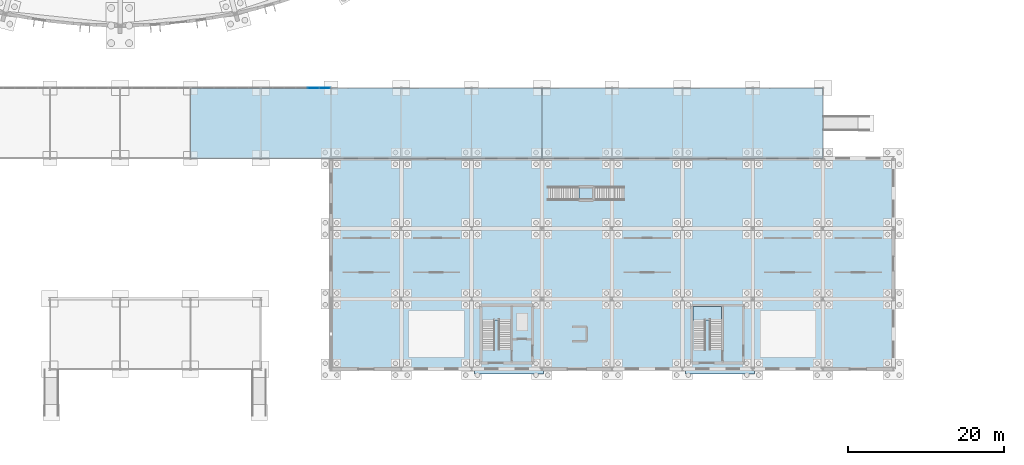
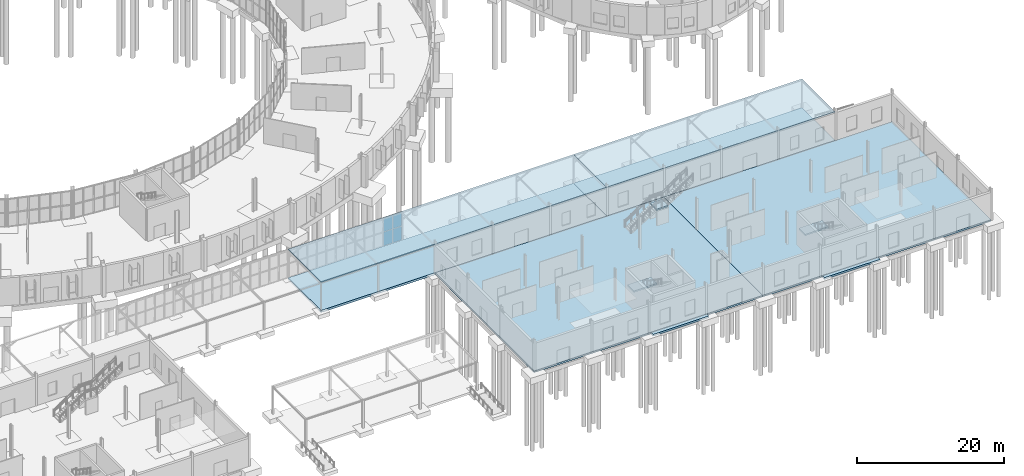
# One storey, part 75 of 118: 11 slabs, 4 plates, 4 elements without a shape of their own.
"""IFC4 building model written with IfcOpenShell, lengths in metres."""

from ifc_helpers import new_model, si_unit, direction, frame, origin, origin_2d, place, context, subcontext, project, spatial, polyline, rectangle, outline, extrude, material, layer, layer_set, type_object, element, aggregate, save


model = new_model("IFC4")

# Units and contexts
model_context = context("Model", 3, precision=1e-05, world=origin(), true_north=direction((0.0, 1.0)))
body_context = subcontext(model_context, "Body", "Model", "MODEL_VIEW")
ifc_project = project(units=[si_unit("LENGTHUNIT", "METRE"), si_unit("AREAUNIT", "SQUARE_METRE"), si_unit("VOLUMEUNIT", "CUBIC_METRE"), si_unit("PLANEANGLEUNIT", "RADIAN"), si_unit("MASSUNIT", "GRAM", prefix="KILO")], contexts=[model_context])

# Site, building, storey
site_placement = place(None, origin())
site = spatial("IfcSite", under=ifc_project, at=site_placement, CompositionType="ELEMENT")
building_placement = place(site_placement, origin())
building = spatial("IfcBuilding", under=site, at=building_placement, Name="Kildeholm Park Wholesale Market", CompositionType="ELEMENT")
storey_placement = place(building_placement, origin())
storey = spatial("IfcBuildingStorey", under=building, at=storey_placement, Name="L00", CompositionType="ELEMENT", Elevation=0.0)

# Curtain wall, plates
ifc_material_1 = material(Name="Anodised aluminium and low-E double-glazed glass", Category="aluminium")
curtain_wall_type = type_object("IfcCurtainWallType", Name="Public passage glazed screen CW-04", PredefinedType="NOTDEFINED", material=ifc_material_1)
curtain_wall_placement = place(storey_placement, origin())
curtain_wall = element("IfcCurtainWall", 1, at=curtain_wall_placement, inside=storey, type_object=curtain_wall_type, Name="Curtain wall CW-V6-GC-05 CW-0163", PredefinedType="NOTDEFINED")
ifc_material_2 = material(Name="Double-glazed low-E insulated glass", Category="glass")
ifc_layer_1 = layer(ifc_material_2, 0.028076171875)
ifc_layer_set_1 = layer_set([ifc_layer_1], Name="Double-glazed low-E insulated glass")
plate_type = type_object("IfcPlateType", Name="Curtain-wall panel CWP-1 28 mm", PredefinedType="CURTAIN_PANEL", material=ifc_layer_set_1)
plate_1_placement = place(storey_placement, frame((123.72998046875, 36.0, 0.06005859375), z_axis=(0.0, 0.0, 1.0), x_axis=(1.0, 0.0, 0.0)))
plate_1 = element("IfcPlate", 2, at=plate_1_placement, type_object=plate_type, Name="CW-04 panel 5.1 PLT-2372", PredefinedType="CURTAIN_PANEL", context=body_context, shape_type="SweptSolid", body=[
    extrude(rectangle(XDim=1.4267578125, YDim=0.028076171875, at=origin_2d()), origin(), (0.0, 0.0, 1.0), 2.284912109375),
])
plate_2_placement = place(storey_placement, frame((123.72998046875, 36.0, 2.4052734375), z_axis=(0.0, 0.0, 1.0), x_axis=(1.0, 0.0, 0.0)))
plate_2 = element("IfcPlate", 3, at=plate_2_placement, type_object=plate_type, Name="CW-04 panel 5.2 PLT-2373", PredefinedType="CURTAIN_PANEL", context=body_context, shape_type="SweptSolid", body=[
    extrude(rectangle(XDim=1.4267578125, YDim=0.028076171875, at=origin_2d()), origin(), (0.0, 0.0, 1.0), 2.284912109375),
])
plate_3_placement = place(storey_placement, frame((125.20166015625, 36.0, 0.06005859375), z_axis=(0.0, 0.0, 1.0), x_axis=(1.0, 0.0, 0.0)))
plate_3 = element("IfcPlate", 4, at=plate_3_placement, type_object=plate_type, Name="CW-04 panel 6.1 PLT-2374", PredefinedType="CURTAIN_PANEL", context=body_context, shape_type="SweptSolid", body=[
    extrude(rectangle(XDim=1.396728515625, YDim=0.028076171875, at=origin_2d()), origin(), (0.0, 0.0, 1.0), 2.284912109375),
])
plate_4_placement = place(storey_placement, frame((125.20166015625, 36.0, 2.4052734375), z_axis=(0.0, 0.0, 1.0), x_axis=(1.0, 0.0, 0.0)))
plate_4 = element("IfcPlate", 5, at=plate_4_placement, type_object=plate_type, Name="CW-04 panel 6.2 PLT-2375", PredefinedType="CURTAIN_PANEL", context=body_context, shape_type="SweptSolid", body=[
    extrude(rectangle(XDim=1.396728515625, YDim=0.028076171875, at=origin_2d()), origin(), (0.0, 0.0, 1.0), 2.284912109375),
])
aggregate(curtain_wall, [plate_1, plate_2, plate_3, plate_4])

# Slabs
ifc_material_3 = material(Name="Concrete C40/50", Category="concrete")
ifc_layer_2 = layer(ifc_material_3, 0.35009765625)
ifc_layer_set_2 = layer_set([ifc_layer_2], Name="Concrete C40/50")
slab_type_1 = type_object("IfcSlabType", Name="Slab S-AP1 350 mm", PredefinedType="BASESLAB", material=ifc_layer_set_2)
slab_1_placement = place(storey_placement, frame((0.0, 0.0, -0.35009765625)))
element("IfcSlab", 6, at=slab_1_placement, inside=storey, type_object=slab_type_1, Name="Covered public passage paving slab 3 SLB-0398", PredefinedType="BASESLAB", context=body_context, shape_type="SweptSolid", body=[
    extrude(outline(polyline([(108.0, 27.0), (153.0, 27.0), (153.0, 36.0), (108.0, 36.0), (108.0, 27.0)])), origin(), (0.0, 0.0, 1.0), 0.35009765625),
])
slab_2_placement = place(storey_placement, frame((0.0, 0.0, -0.35009765625)))
element("IfcSlab", 7, at=slab_2_placement, inside=storey, type_object=slab_type_1, Name="Covered public passage paving slab 4 SLB-0400", PredefinedType="BASESLAB", context=body_context, shape_type="SweptSolid", body=[
    extrude(outline(polyline([(153.0, 27.0), (189.0, 27.0), (189.0, 36.0), (153.0, 36.0), (153.0, 27.0)])), origin(), (0.0, 0.0, 1.0), 0.35009765625),
])
ifc_material_4 = material(Name="Concrete C35/45", Category="concrete")
ifc_layer_3 = layer(ifc_material_4, 0.300048828125)
ifc_layer_set_3 = layer_set([ifc_layer_3], Name="Concrete C35/45")
slab_type_2 = type_object("IfcSlabType", Name="Slab S-BS1 300 mm", PredefinedType="BASESLAB", material=ifc_layer_set_3)
slab_3_placement = place(storey_placement, frame((0.0, 0.0, -0.300048828125)))
element("IfcSlab", 8, at=slab_3_placement, inside=storey, type_object=slab_type_2, Name="V5E L00 slab M part 1 SLB-0380", PredefinedType="BASESLAB", context=body_context, shape_type="SweptSolid", body=[
    extrude(outline(polyline([(126.0, 0.0), (162.0, 0.0), (162.0, 27.0), (126.0, 27.0), (126.0, 0.0)])), origin(), (0.0, 0.0, 1.0), 0.300048828125),
])
slab_4_placement = place(storey_placement, frame((0.0, 0.0, -0.300048828125)))
element("IfcSlab", 9, at=slab_4_placement, inside=storey, type_object=slab_type_2, Name="V5E L00 slab M part 2 SLB-0381", PredefinedType="BASESLAB", context=body_context, shape_type="SweptSolid", body=[
    extrude(outline(polyline([(162.0, 0.0), (198.0, 0.0), (198.0, 27.0), (162.0, 27.0), (162.0, 0.0)])), origin(), (0.0, 0.0, 1.0), 0.300048828125),
])
slab_5_placement = place(storey_placement, frame((0.0, 0.0, -0.300048828125)))
element("IfcSlab", 10, at=slab_5_placement, inside=storey, type_object=slab_type_2, Name="Core C06 ground base pad SLB-0433", PredefinedType="BASESLAB", context=body_context, shape_type="SweptSolid", body=[
    extrude(outline(polyline([(153.199951171875, -0.60009765625), (144.39990234375, -0.60009765625), (144.39990234375, -0.0048828125), (153.199951171875, -0.0048828125), (153.199951171875, -0.60009765625)])), origin(), (0.0, 0.0, 1.0), 0.300048828125),
])
slab_6_placement = place(storey_placement, frame((0.0, 0.0, -0.300048828125)))
element("IfcSlab", 11, at=slab_6_placement, inside=storey, type_object=slab_type_2, Name="Core C07 ground base pad SLB-0440", PredefinedType="BASESLAB", context=body_context, shape_type="SweptSolid", body=[
    extrude(outline(polyline([(180.199951171875, -0.60009765625), (171.39990234375, -0.60009765625), (171.39990234375, -0.0048828125), (180.199951171875, -0.0048828125), (180.199951171875, -0.60009765625)])), origin(), (0.0, 0.0, 1.0), 0.300048828125),
])
ifc_layer_4 = layer(ifc_material_4, 0.159912109375)
ifc_layer_set_4 = layer_set([ifc_layer_4], Name="Concrete C35/45")
slab_type_3 = type_object("IfcSlabType", Name="Slab S-CN1 160 mm", PredefinedType="ROOF", material=ifc_layer_set_4)
slab_7_placement = place(storey_placement, frame((0.0, 0.0, 4.639892578125)))
element("IfcSlab", 12, at=slab_7_placement, inside=storey, type_object=slab_type_3, Name="Covered public passage canopy roof 3 SLB-0399", PredefinedType="ROOF", context=body_context, shape_type="SweptSolid", body=[
    extrude(outline(polyline([(108.0, 27.0), (153.0, 27.0), (153.0, 36.0), (108.0, 36.0), (108.0, 27.0)])), origin(), (0.0, 0.0, 1.0), 0.16015625),
])
slab_8_placement = place(storey_placement, frame((0.0, 0.0, 4.639892578125)))
element("IfcSlab", 13, at=slab_8_placement, inside=storey, type_object=slab_type_3, Name="Covered public passage canopy roof 4 SLB-0401", PredefinedType="ROOF", context=body_context, shape_type="SweptSolid", body=[
    extrude(outline(polyline([(153.0, 27.0), (189.0, 27.0), (189.0, 36.0), (153.0, 36.0), (153.0, 27.0)])), origin(), (0.0, 0.0, 1.0), 0.16015625),
])

# Stair, slab
stair_type_1 = type_object("IfcStairType", Name="Protected core escape stair ST-CR1", PredefinedType="HALF_TURN_STAIR", material=ifc_material_4)
stair_1_placement = place(storey_placement, origin())
stair_1 = element("IfcStair", 14, at=stair_1_placement, inside=storey, type_object=stair_type_1, Name="Escape stair C06 L00 STR-0014", PredefinedType="HALF_TURN_STAIR")
ifc_layer_5 = layer(ifc_material_4, 0.239990234375)
ifc_layer_set_5 = layer_set([ifc_layer_5], Name="Concrete C35/45")
slab_type_4 = type_object("IfcSlabType", Name="Stair landing slab S-LD1 240 mm", PredefinedType="LANDING", material=ifc_layer_set_5)
slab_9_placement = place(storey_placement, frame((0.0, 0.0, 2.4599609375)))
slab_9 = element("IfcSlab", 15, at=slab_9_placement, type_object=slab_type_4, Name="ST-06-00 landing 1 SLB-0434", PredefinedType="LANDING", context=body_context, shape_type="SweptSolid", body=[
    extrude(outline(polyline([(145.35009765625, 6.300048828125), (149.030029296875, 6.320068359375), (149.030029296875, 8.050048828125), (145.35009765625, 8.050048828125), (145.35009765625, 6.300048828125)])), origin(), (0.0, 0.0, 1.0), 0.239990234375),
])
aggregate(stair_1, [slab_9])

stair_2_placement = place(storey_placement, origin())
stair_2 = element("IfcStair", 16, at=stair_2_placement, inside=storey, type_object=stair_type_1, Name="Escape stair C07 L00 STR-0017", PredefinedType="HALF_TURN_STAIR")
slab_10_placement = place(storey_placement, frame((0.0, 0.0, 2.4599609375)))
slab_10 = element("IfcSlab", 17, at=slab_10_placement, type_object=slab_type_4, Name="ST-07-00 landing 1 SLB-0441", PredefinedType="LANDING", context=body_context, shape_type="SweptSolid", body=[
    extrude(outline(polyline([(172.35009765625, 6.300048828125), (176.030029296875, 6.320068359375), (176.030029296875, 8.050048828125), (172.35009765625, 8.050048828125), (172.35009765625, 6.300048828125)])), origin(), (0.0, 0.0, 1.0), 0.239990234375),
])
aggregate(stair_2, [slab_10])

ifc_material_5 = material(Name="Steel S355", Category="steel")
stair_type_2 = type_object("IfcStairType", Name="Buyers concourse feature straight stair ST-FT1", PredefinedType="STRAIGHT_RUN_STAIR", material=ifc_material_5)
stair_3_placement = place(storey_placement, origin())
stair_3 = element("IfcStair", 18, at=stair_3_placement, inside=storey, type_object=stair_type_2, Name="Buyers concourse feature stair ST-FT02 STR-0035", PredefinedType="STRAIGHT_RUN_STAIR")
slab_11_placement = place(storey_placement, frame((0.0, 0.0, 2.4599609375)))
slab_11 = element("IfcSlab", 19, at=slab_11_placement, type_object=slab_type_4, Name="ST-FT02 landing 1 SLB-0490", PredefinedType="LANDING", context=body_context, shape_type="SweptSolid", body=[
    extrude(outline(polyline([(157.75, 21.639892578125), (159.60009765625, 21.639892578125), (159.60009765625, 23.360107421875), (157.75, 23.360107421875), (157.75, 21.639892578125)])), origin(), (0.0, 0.0, 1.0), 0.239990234375),
])
aggregate(stair_3, [slab_11])

save(model, "model.ifc")
